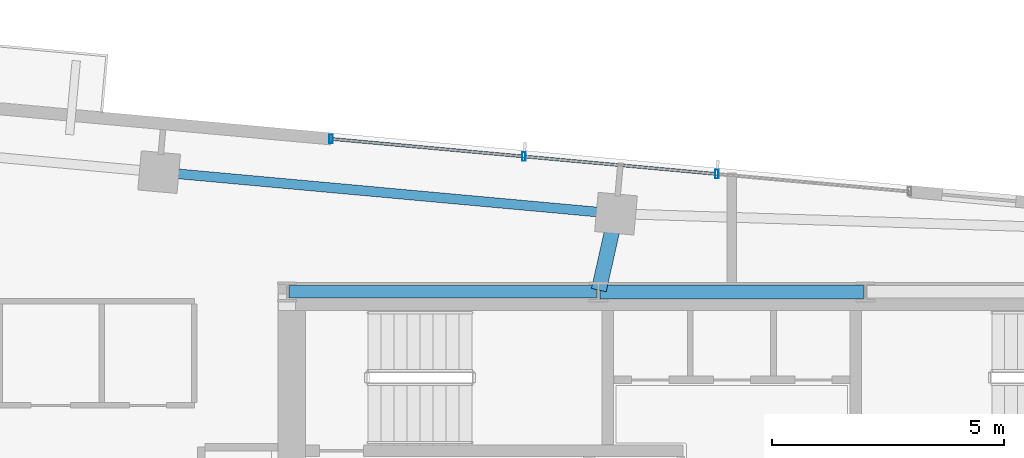
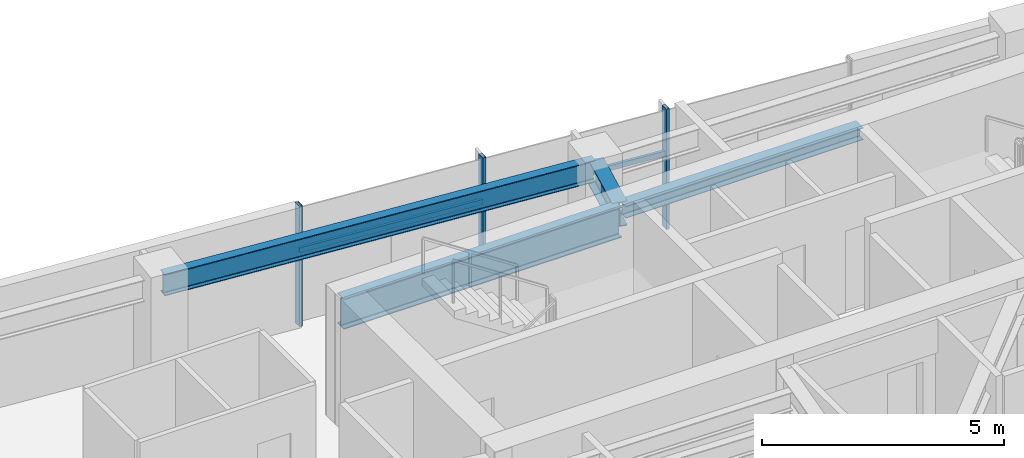
# One storey, part 10 of 22: 5 members, 4 beams, 1 element without a shape of its own.
"""IFC4 building model written with IfcOpenShell, lengths in metres."""

from ifc_helpers import new_model, si_unit, direction, frame, origin, origin_2d, place, context, subcontext, project, spatial, hollow_rectangle, i_section, extrude, source, transform, mapped, material, material_profile, profile_set, type_object, type_shapes, element, aggregate, save


model = new_model("IFC4")

# Units and contexts
model_context = context("Model", 3, precision=1e-05, world=origin(), true_north=direction((0.0, 1.0)))
body_context = subcontext(model_context, "Body", "Model", "MODEL_VIEW")
ifc_project = project(units=[si_unit("LENGTHUNIT", "METRE"), si_unit("AREAUNIT", "SQUARE_METRE"), si_unit("VOLUMEUNIT", "CUBIC_METRE"), si_unit("PLANEANGLEUNIT", "RADIAN"), si_unit("MASSUNIT", "GRAM", prefix="KILO")], contexts=[model_context])

# Site, building, storey
site_placement = place(None, origin())
site = spatial("IfcSite", under=ifc_project, at=site_placement, CompositionType="ELEMENT")
building_placement = place(site_placement, origin())
building = spatial("IfcBuilding", under=site, at=building_placement, Name="Astriad Promenade Condominiums", CompositionType="ELEMENT")
storey_placement = place(building_placement, frame((0.0, 0.0, 246.300048828125)))
storey = spatial("IfcBuildingStorey", under=building, at=storey_placement, Name="L71", CompositionType="ELEMENT", Elevation=246.300048828125)

# Beams
ifc_material_1 = material(Name="Steel ASTM A992 Grade 50", Category="steel")
ifc_material_profile_1 = material_profile(ifc_material_1, i_section(OverallWidth=0.267822265625, OverallDepth=0.76953125, WebThickness=0.015625, FlangeThickness=0.025390625, FilletRadius=0.021484375, at=origin_2d()), Name="W30X132")
ifc_profile_set_1 = profile_set([ifc_material_profile_1], Name="Steel ASTM A992 Grade 50")
beam_type_1 = type_object("IfcBeamType", Name="STEEL FLOOR GIRDER W30X132", PredefinedType="BEAM", material=ifc_profile_set_1)
shared_shape_1 = source(origin(), body_context, "Body", "SweptSolid", [
    extrude(i_section(OverallWidth=0.267822265625, OverallDepth=0.76953125, WebThickness=0.015625, FlangeThickness=0.025390625, FilletRadius=0.021484375, at=origin_2d()), origin(), (0.0, 0.0, 1.0), 6.64013671875),
])
type_shapes(beam_type_1, [shared_shape_1])
beam_1_placement = place(storey_placement, frame((26.43994140625, 24.0, 2.655029296875), z_axis=(1.0, 0.0, 0.0), x_axis=(0.0, 1.0, 0.0)))
element("IfcBeam", 1, at=beam_1_placement, inside=storey, type_object=beam_type_1, Name="Core Ring Beam CG-N1-L71", PredefinedType="BEAM", context=body_context, shape_type="MappedRepresentation", body=[
    mapped(shared_shape_1, transform((0.0, 0.0, 0.0), scale=1.0)),
])
ifc_material_profile_2 = material_profile(ifc_material_1, i_section(OverallWidth=0.3046875, OverallDepth=0.307861328125, WebThickness=0.010009765625, FlangeThickness=0.015380859375, FilletRadius=0.01513671875, at=origin_2d()), Name="W12X65")
ifc_profile_set_2 = profile_set([ifc_material_profile_2], Name="Steel ASTM A992 Grade 50")
beam_type_2 = type_object("IfcBeamType", Name="STEEL OPENING LINTEL W12X65", PredefinedType="LINTEL", material=ifc_profile_set_2)
shared_shape_2 = source(origin(), body_context, "Body", "SweptSolid", [
    extrude(i_section(OverallWidth=0.3046875, OverallDepth=0.307861328125, WebThickness=0.010009765625, FlangeThickness=0.015380859375, FilletRadius=0.01513671875, at=origin_2d()), origin(), (0.0, 0.0, 1.0), 5.68017578125),
])
type_shapes(beam_type_2, [shared_shape_2])
beam_2_placement = place(storey_placement, frame((33.159912109375, 24.0, 2.885986328125), z_axis=(1.0, 0.0, 0.0), x_axis=(0.0, 1.0, 0.0)))
element("IfcBeam", 2, at=beam_2_placement, inside=storey, type_object=beam_type_2, Name="Core Ring Beam CG-N2-L71", PredefinedType="LINTEL", context=body_context, shape_type="MappedRepresentation", body=[
    mapped(shared_shape_2, transform((0.0, 0.0, 0.0), scale=1.0)),
])
ifc_material_profile_3 = material_profile(ifc_material_1, i_section(OverallWidth=0.210693359375, OverallDepth=0.53955078125, WebThickness=0.01171875, FlangeThickness=0.018798828125, FilletRadius=0.0166015625, at=origin_2d()), Name="W21X73")
ifc_profile_set_3 = profile_set([ifc_material_profile_3], Name="Steel ASTM A992 Grade 50")
beam_type_3 = type_object("IfcBeamType", Name="STEEL SPANDREL BEAM W21X73", PredefinedType="SPANDREL", material=ifc_profile_set_3)
shared_shape_3 = source(origin(), body_context, "Body", "SweptSolid", [
    extrude(i_section(OverallWidth=0.210693359375, OverallDepth=0.53955078125, WebThickness=0.01171875, FlangeThickness=0.018798828125, FilletRadius=0.0166015625, at=origin_2d()), origin(), (0.0, 0.0, 1.0), 9.820068359375),
])
type_shapes(beam_type_3, [shared_shape_3])
beam_3_placement = place(storey_placement, frame((33.4599609375, 25.69189453125, 2.770263671875), z_axis=(-0.995885663174, 0.090618683965, 0.0), x_axis=(-0.090618683965, -0.995885663174, 0.0)))
element("IfcBeam", 3, at=beam_3_placement, inside=storey, type_object=beam_type_3, Name="Perimeter Spandrel Beam SP-N2-L71", PredefinedType="SPANDREL", context=body_context, shape_type="MappedRepresentation", body=[
    mapped(shared_shape_3, transform((0.0, 0.0, 0.0), scale=1.0)),
])
ifc_material_profile_4 = material_profile(ifc_material_1, i_section(OverallWidth=0.326416015625, OverallDepth=0.621826171875, WebThickness=0.015380859375, FlangeThickness=0.0244140625, FilletRadius=0.017822265625, at=origin_2d()), Name="W24X131")
ifc_profile_set_4 = profile_set([ifc_material_profile_4], Name="Steel ASTM A992 Grade 50")
beam_type_4 = type_object("IfcBeamType", Name="STEEL FLOOR GIRDER W24X131", PredefinedType="BEAM", material=ifc_profile_set_4)
shared_shape_4 = source(origin(), body_context, "Body", "SweptSolid", [
    extrude(i_section(OverallWidth=0.326416015625, OverallDepth=0.621826171875, WebThickness=0.015380859375, FlangeThickness=0.0244140625, FilletRadius=0.017822265625, at=origin_2d()), origin(), (0.0, 0.0, 1.0), 1.650390625),
])
type_shapes(beam_type_4, [shared_shape_4])
beam_4_placement = place(storey_placement, frame((33.490966796875, 25.649169921875, 2.72900390625), z_axis=(-0.219388986766, -0.975637469804, 0.0), x_axis=(0.975637469804, -0.219388986766, 0.0)))
element("IfcBeam", 4, at=beam_4_placement, inside=storey, type_object=beam_type_4, Name="Primary Floor Girder PG-NC-L71", PredefinedType="BEAM", context=body_context, shape_type="MappedRepresentation", body=[
    mapped(shared_shape_4, transform((0.0, 0.0, 0.0), scale=1.0)),
])

# Curtain wall, members
ifc_material_2 = material(Name="Anodised aluminium Black Dark Glass Unitised", Category="aluminium")
curtain_wall_type = type_object("IfcCurtainWallType", Name="CW-B5-DARK", PredefinedType="USERDEFINED", material=ifc_material_2)
curtain_wall_placement = place(storey_placement, origin())
curtain_wall = element("IfcCurtainWall", 5, at=curtain_wall_placement, inside=storey, type_object=curtain_wall_type, Name="CW-L71-N", ObjectType="UNITISED_CURTAIN_WALL", PredefinedType="USERDEFINED")
ifc_material_3 = material(Name="Anodised aluminium 6063-T6 Black", Category="aluminium")
ifc_material_profile_5 = material_profile(ifc_material_3, hollow_rectangle(XDim=0.06494140625, YDim=0.1298828125, WallThickness=0.00390625, at=origin_2d()), Name="ALU-TRN-65X130")
ifc_profile_set_5 = profile_set([ifc_material_profile_5], Name="Anodised aluminium 6063-T6 Black")
member_type_1 = type_object("IfcMemberType", Name="TRN-ALU-TRN-65X130", PredefinedType="USERDEFINED", material=ifc_profile_set_5)
shared_shape_5 = source(origin(), body_context, "Body", "SweptSolid", [
    extrude(hollow_rectangle(XDim=0.06494140625, YDim=0.1298828125, WallThickness=0.00390625, at=origin_2d()), origin(), (0.0, 0.0, 1.0), 4.179931640625),
])
type_shapes(member_type_1, [shared_shape_5])
member_1_placement = place(storey_placement, frame((27.3505859375, 27.30224609375, 1.884765625), z_axis=(0.995883146811, -0.090646334165, 0.0), x_axis=(0.090646334165, 0.995883146811, 0.0)))
member_1 = element("IfcMember", 6, at=member_1_placement, type_object=member_type_1, Name="CW-L71-N-TRN-00-0", ObjectType="TRANSOM", PredefinedType="USERDEFINED", context=body_context, shape_type="MappedRepresentation", body=[
    mapped(shared_shape_5, transform((0.0, 0.0, 0.0), scale=1.0)),
])
member_2_placement = place(storey_placement, frame((31.513427734375, 26.92333984375, 1.884765625), z_axis=(0.995883146811, -0.090646334165, 0.0), x_axis=(0.090646334165, 0.995883146811, 0.0)))
member_2 = element("IfcMember", 7, at=member_2_placement, type_object=member_type_1, Name="CW-L71-N-TRN-01-0", ObjectType="TRANSOM", PredefinedType="USERDEFINED", context=body_context, shape_type="MappedRepresentation", body=[
    mapped(shared_shape_5, transform((0.0, 0.0, 0.0), scale=1.0)),
])
ifc_material_profile_6 = material_profile(ifc_material_3, hollow_rectangle(XDim=0.074951171875, YDim=0.18505859375, WallThickness=0.00439453125, at=origin_2d()), Name="ALU-MUL-75X185")
ifc_profile_set_6 = profile_set([ifc_material_profile_6], Name="Anodised aluminium 6063-T6 Black")
member_type_2 = type_object("IfcMemberType", Name="MUL-ALU-MUL-75X185", PredefinedType="MULLION", material=ifc_profile_set_6)
shared_shape_6 = source(origin(), body_context, "Body", "SweptSolid", [
    extrude(hollow_rectangle(XDim=0.074951171875, YDim=0.18505859375, WallThickness=0.00439453125, at=origin_2d()), origin(), (0.0, 0.0, 1.0), 3.0400390625),
])
type_shapes(member_type_2, [shared_shape_6])
member_3_placement = place(storey_placement, frame((27.3505859375, 27.30224609375, 0.0), z_axis=(0.0, 0.0, 1.0), x_axis=(1.0, 0.0, 0.0)))
member_3 = element("IfcMember", 8, at=member_3_placement, type_object=member_type_2, Name="CW-L71-N-MUL-00", PredefinedType="MULLION", context=body_context, shape_type="MappedRepresentation", body=[
    mapped(shared_shape_6, transform((0.0, 0.0, 0.0), scale=1.0)),
])
member_4_placement = place(storey_placement, frame((31.513427734375, 26.92333984375, 0.0), z_axis=(0.0, 0.0, 1.0), x_axis=(1.0, 0.0, 0.0)))
member_4 = element("IfcMember", 9, at=member_4_placement, type_object=member_type_2, Name="CW-L71-N-MUL-01", PredefinedType="MULLION", context=body_context, shape_type="MappedRepresentation", body=[
    mapped(shared_shape_6, transform((0.0, 0.0, 0.0), scale=1.0)),
])
member_5_placement = place(storey_placement, frame((35.67626953125, 26.54443359375, 0.0), z_axis=(0.0, 0.0, 1.0), x_axis=(1.0, 0.0, 0.0)))
member_5 = element("IfcMember", 10, at=member_5_placement, type_object=member_type_2, Name="CW-L71-N-MUL-02", PredefinedType="MULLION", context=body_context, shape_type="MappedRepresentation", body=[
    mapped(shared_shape_6, transform((0.0, 0.0, 0.0), scale=1.0)),
])
aggregate(curtain_wall, [member_3, member_4, member_5, member_1, member_2])

save(model, "model.ifc")
